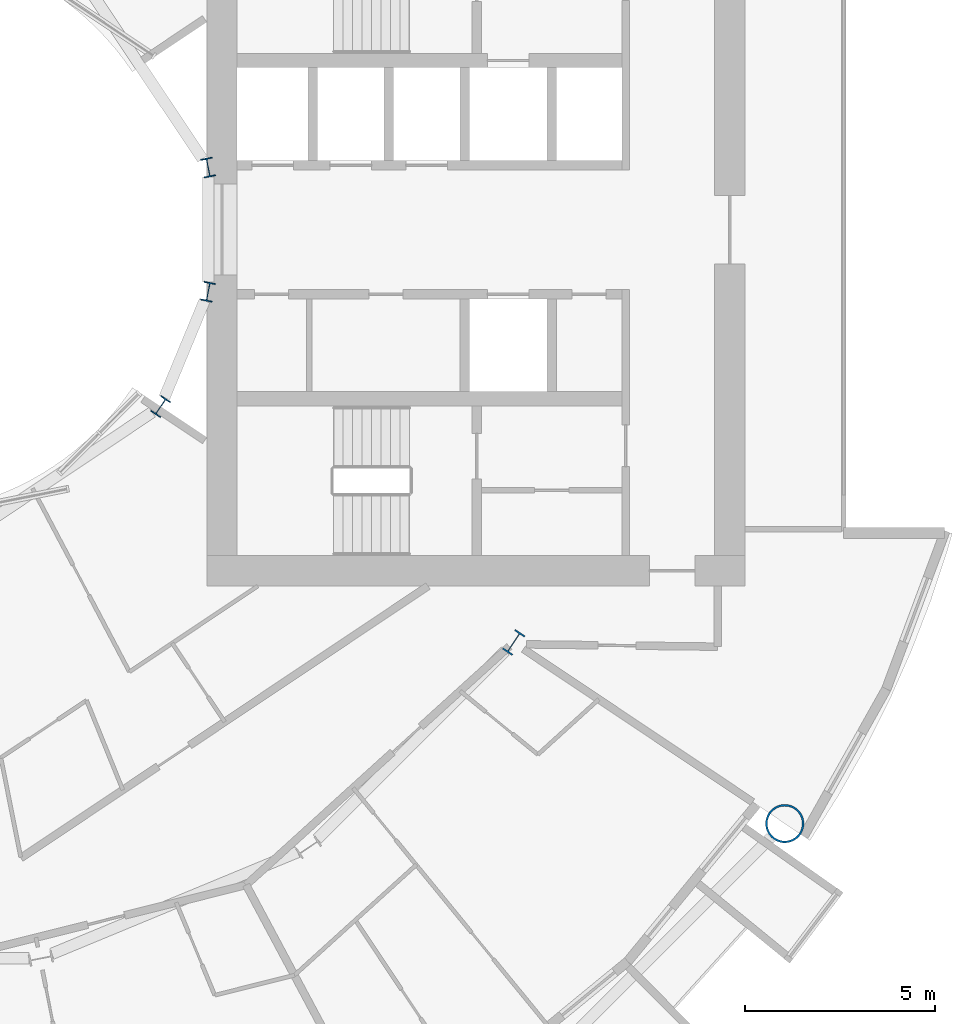
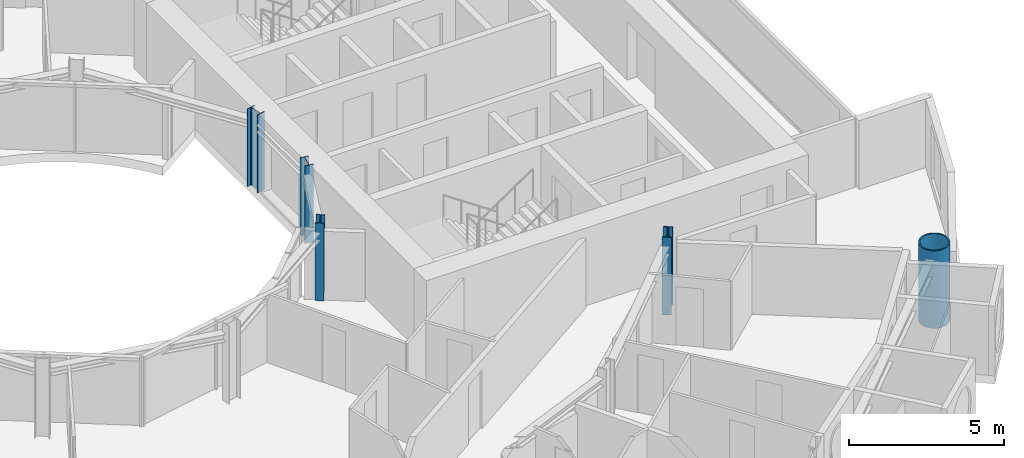
# One storey, part 2 of 26: 5 columns.
"""IFC4 building model written with IfcOpenShell, lengths in metres."""

from ifc_helpers import new_model, si_unit, direction, frame, origin, origin_2d, place, context, subcontext, project, spatial, hollow_circle, i_section, extrude, material, material_profile, profile_set, type_object, element, save


model = new_model("IFC4")

# Units and contexts
model_context = context("Model", 3, precision=1e-05, world=origin(), true_north=direction((0.0, 1.0)))
body_context = subcontext(model_context, "Body", "Model", "MODEL_VIEW")
ifc_project = project(units=[si_unit("LENGTHUNIT", "METRE"), si_unit("AREAUNIT", "SQUARE_METRE"), si_unit("VOLUMEUNIT", "CUBIC_METRE"), si_unit("PLANEANGLEUNIT", "RADIAN"), si_unit("MASSUNIT", "GRAM", prefix="KILO")], contexts=[model_context])

# Site, building, storey
site_placement = place(None, origin())
site = spatial("IfcSite", under=ifc_project, at=site_placement, CompositionType="ELEMENT")
building_placement = place(site_placement, origin())
building = spatial("IfcBuilding", under=site, at=building_placement, Name="Maasbend Ring Residences", CompositionType="ELEMENT")
storey_placement = place(building_placement, frame((0.0, 0.0, 31.949951171875)))
storey = spatial("IfcBuildingStorey", under=building, at=storey_placement, Name="L08", CompositionType="ELEMENT", Elevation=31.949951171875)

# Columns
ifc_material_1 = material(Name="Composite concrete-filled steel tube S460NH / C80/95", Category="concrete")
ifc_material_profile_1 = material_profile(ifc_material_1, hollow_circle(Radius=0.508056640625, WallThickness=0.050048828125, at=origin_2d()), Name="Composite tube column CHS 1016x50")
ifc_profile_set_1 = profile_set([ifc_material_profile_1], Name="Composite concrete-filled steel tube S460NH / C80/95")
column_type_1 = type_object("IfcColumnType", Name="Composite tube column CHS 1016x50", PredefinedType="COLUMN", material=ifc_profile_set_1)
column_1_placement = place(storey_placement, frame((23.447509765625, -15.6669921875, 0.0), z_axis=(0.0, 0.0, 1.0), x_axis=(1.0, 0.0, 0.0)))
element("IfcColumn", 1, at=column_1_placement, inside=storey, type_object=column_type_1, Name="Outer column R15", PredefinedType="COLUMN", context=body_context, shape_type="SweptSolid", body=[
    extrude(hollow_circle(Radius=0.508056640625, WallThickness=0.050048828125, at=origin_2d()), origin(), (0.0, 0.0, 1.0), 3.050048828125),
])
ifc_material_2 = material(Name="Steel S355J2", Category="steel")
ifc_material_profile_2 = material_profile(ifc_material_2, i_section(OverallWidth=0.300048828125, OverallDepth=0.5, WebThickness=0.014404296875, FlangeThickness=0.028076171875, FilletRadius=0.027099609375, at=origin_2d()), Name="HEB 500")
ifc_profile_set_2 = profile_set([ifc_material_profile_2], Name="Steel S355J2")
column_type_2 = type_object("IfcColumnType", Name="Steel column HEB 500", PredefinedType="COLUMN", material=ifc_profile_set_2)
for number, where, z_axis, x_axis, name in (
    (2, (8.238525390625, 1.638916015625, 0.0), (0.0, 0.0, 1.0), (0.980785280403, 0.195090322016, 0.0), "Well ring column R1"),
    (3, (6.984375, -4.666748046875, 0.0), (0.0, 0.0, 1.0), (0.831469612303, -0.55557023302, 0.0), "Well ring column R15"),
    (4, (8.238525390625, -1.638916015625, 0.0), (0.0, 0.0, 1.0), (0.980785280403, -0.195090322016, 0.0), "Well ring column R16"),
):
    element("IfcColumn", number, at=place(storey_placement, frame(where, z_axis=z_axis, x_axis=x_axis)), inside=storey, type_object=column_type_2, Name=name, PredefinedType="COLUMN", context=body_context, shape_type="SweptSolid", body=[
        extrude(i_section(OverallWidth=0.300048828125, OverallDepth=0.5, WebThickness=0.014404296875, FlangeThickness=0.028076171875, FilletRadius=0.027099609375, at=origin_2d()), origin(), (0.0, 0.0, 1.0), 3.050048828125),
    ])
ifc_material_3 = material(Name="Steel S460M", Category="steel")
ifc_material_profile_3 = material_profile(ifc_material_3, i_section(OverallWidth=0.304931640625, OverallDepth=0.6201171875, WebThickness=0.02099609375, FlangeThickness=0.0400390625, FilletRadius=0.027099609375, at=origin_2d()), Name="HEM 600")
ifc_profile_set_3 = profile_set([ifc_material_profile_3], Name="Steel S460M")
column_type_3 = type_object("IfcColumnType", Name="Steel column HEM 600", PredefinedType="COLUMN", material=ifc_profile_set_3)
column_2_placement = place(storey_placement, frame((16.296875, -10.88916015625, 0.0), z_axis=(0.0, 0.0, 1.0), x_axis=(0.831469612303, -0.55557023302, 0.0)))
element("IfcColumn", 5, at=column_2_placement, inside=storey, type_object=column_type_3, Name="Corridor ring column R15", PredefinedType="COLUMN", context=body_context, shape_type="SweptSolid", body=[
    extrude(i_section(OverallWidth=0.304931640625, OverallDepth=0.6201171875, WebThickness=0.02099609375, FlangeThickness=0.0400390625, FilletRadius=0.027099609375, at=origin_2d()), origin(), (0.0, 0.0, 1.0), 3.050048828125),
])

save(model, "model.ifc")
